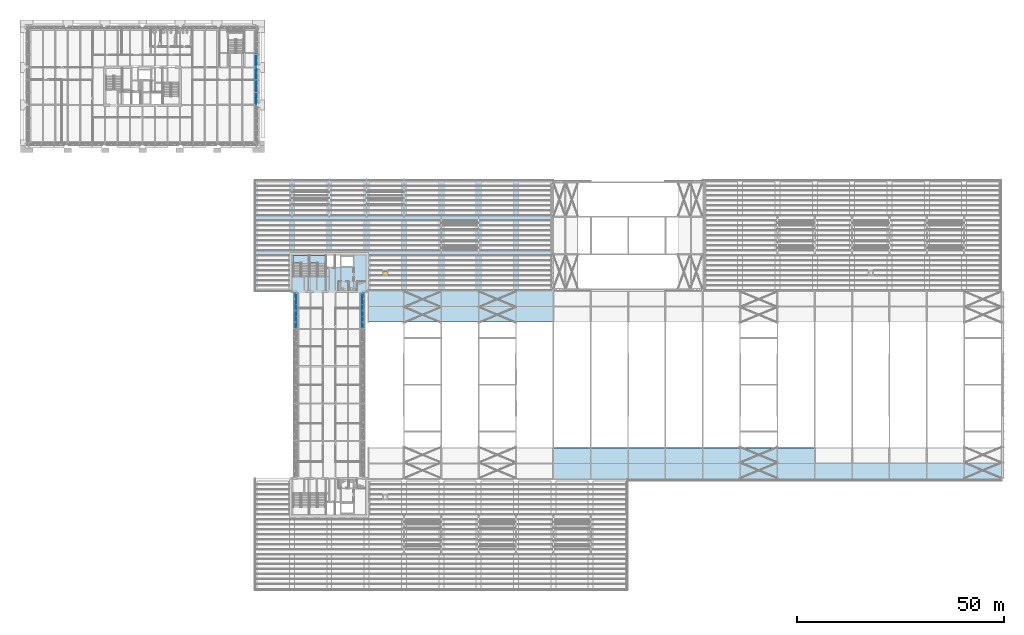
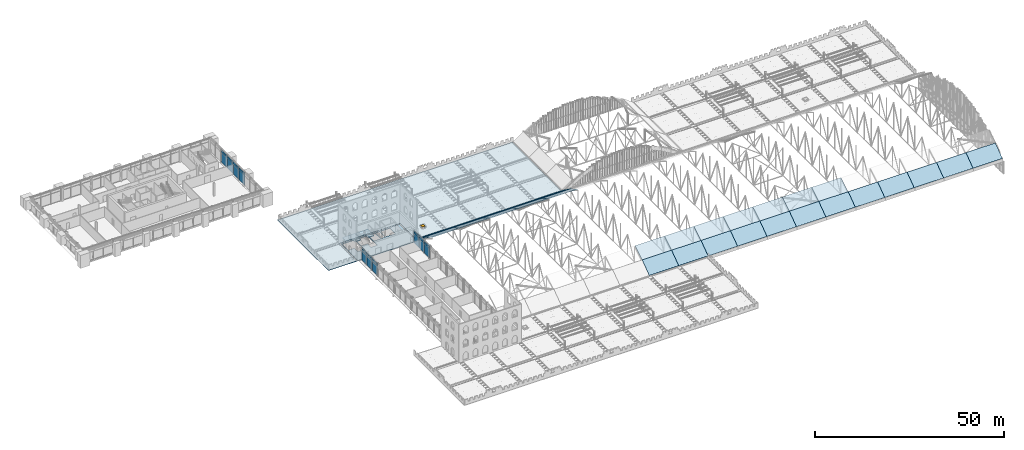
# One storey, part 94 of 153: 33 slabs, 20 plates, 1 window, 1 opening, 5 elements without a shape of their own.
"""IFC4 building model written with IfcOpenShell, lengths in metres."""

from ifc_helpers import new_model, si_unit, direction, frame, origin, origin_2d, place, context, subcontext, project, spatial, polyline, rectangle, outline, extrude, material, layer, layer_set, type_object, element, fill, aggregate, save


model = new_model("IFC4")

# Units and contexts
model_context = context("Model", 3, precision=1e-05, world=origin(), true_north=direction((0.0, 1.0)))
body_context = subcontext(model_context, "Body", "Model", "MODEL_VIEW")
ifc_project = project(units=[si_unit("LENGTHUNIT", "METRE"), si_unit("AREAUNIT", "SQUARE_METRE"), si_unit("VOLUMEUNIT", "CUBIC_METRE"), si_unit("PLANEANGLEUNIT", "RADIAN"), si_unit("MASSUNIT", "GRAM", prefix="KILO")], contexts=[model_context])

# Site, building, storey
site_placement = place(None, origin())
site = spatial("IfcSite", under=ifc_project, at=site_placement, CompositionType="ELEMENT")
building_placement = place(site_placement, origin())
building = spatial("IfcBuilding", under=site, at=building_placement, Name="Baradari Gate Terminus", CompositionType="ELEMENT")
storey_placement = place(building_placement, frame((0.0, 0.0, 11.699951171875)))
storey = spatial("IfcBuildingStorey", under=building, at=storey_placement, Name="L02", CompositionType="ELEMENT", Elevation=11.699951171875)

# Slab, opening, window
ifc_material_1 = material(Name="Concrete C35/45", Category="concrete")
ifc_layer_1 = layer(ifc_material_1, 0.14990234375)
ifc_layer_set_1 = layer_set([ifc_layer_1], Name="Concrete C35/45")
slab_type_1 = type_object("IfcSlabType", Name="Composite roof slab SL2 150", PredefinedType="ROOF", material=ifc_layer_set_1)
slab_1_placement = place(storey_placement, frame((0.0, 0.0, -0.14990234375)))
slab_1 = element("IfcSlab", 1, at=slab_1_placement, inside=storey, type_object=slab_type_1, Name="Head-house roof", PredefinedType="ROOF", context=body_context, shape_type="SweptSolid", body=[
    extrude(outline(polyline([(134.800048828125, 81.0), (134.800048828125, 108.0), (63.0, 108.0), (63.0, 81.0), (71.699951171875, 81.0), (71.699951171875, 81.300048828125), (71.699951171875, 89.699951171875), (71.699951171875, 90.300048828125), (90.300048828125, 90.300048828125), (90.300048828125, 89.699951171875), (90.300048828125, 81.300048828125), (90.300048828125, 81.0), (134.800048828125, 81.0)])), origin(), (0.0, 0.0, 1.0), 0.14990234375),
])
opening_placement = place(slab_1_placement, frame((94.5, 85.5, 0.0)))
opening = element("IfcOpeningElement", 2, at=opening_placement, cuts=slab_1, Name="Opening RH1", PredefinedType="OPENING", context=body_context, shape_type="SweptSolid", body=[
    extrude(rectangle(XDim=1.0, YDim=1.0, at=origin_2d()), frame((0.0, 0.0, -0.010009765625)), (0.0, 0.0, 1.0), 0.869873046875),
])
ifc_material_2 = material(Name="Aluminium", Category="aluminium")
window_type = type_object("IfcWindowType", Name="Roof access hatch", PartitioningType="SINGLE_PANEL", PredefinedType="SKYLIGHT", material=ifc_material_2)
window_placement = place(opening_placement, frame((0.0, 0.0, 0.7998046875)))
window = element("IfcWindow", 3, at=window_placement, inside=storey, type_object=window_type, Name="RF/L02/RH1", OverallHeight=1.0, OverallWidth=1.0, PartitioningType="SINGLE_PANEL", PredefinedType="SKYLIGHT", context=body_context, shape_type="SweptSolid", body=[
    extrude(rectangle(XDim=1.0, YDim=1.0, at=origin_2d()), origin(), (0.0, 0.0, 1.0), 0.050048828125),
])
fill(opening, window)

# Curtain wall, plates
ifc_material_3 = material(Name="Aluminium 6063-T6", Category="aluminium")
curtain_wall_type_1 = type_object("IfcCurtainWallType", Name="Curtain wall CW-1 block unitised, zone L02-L05", PredefinedType="NOTDEFINED", material=ifc_material_3)
curtain_wall_1_placement = place(storey_placement, origin())
curtain_wall_1 = element("IfcCurtainWall", 4, at=curtain_wall_1_placement, inside=storey, type_object=curtain_wall_type_1, Name="Curtain wall CW-1 Operations block E face L02", PredefinedType="NOTDEFINED")
ifc_material_4 = material(Name="Insulating glass unit", Category="glass")
ifc_layer_2 = layer(ifc_material_4, 0.030029296875)
ifc_layer_set_2 = layer_set([ifc_layer_2], Name="Insulating glass unit")
plate_type_1 = type_object("IfcPlateType", Name="Curtain wall glazing unit CP-1 30", PredefinedType="CURTAIN_PANEL", material=ifc_layer_set_2)
plate_1_placement = place(storey_placement, frame((63.3701171875, 127.43994140625, 0.06494140625), z_axis=(0.0, 0.0, 1.0), x_axis=(0.0, 1.0, 0.0)))
plate_1 = element("IfcPlate", 5, at=plate_1_placement, type_object=plate_type_1, Name="CW-1 panel 4.1", PredefinedType="CURTAIN_PANEL", context=body_context, shape_type="SweptSolid", body=[
    extrude(rectangle(XDim=2.9951171875, YDim=0.030029296875, at=origin_2d()), origin(), (0.0, 0.0, 1.0), 3.202392578125),
])
plate_2_placement = place(storey_placement, frame((63.3701171875, 130.5, 0.06494140625), z_axis=(0.0, 0.0, 1.0), x_axis=(0.0, 1.0, 0.0)))
plate_2 = element("IfcPlate", 6, at=plate_2_placement, type_object=plate_type_1, Name="CW-1 panel 5.1", PredefinedType="CURTAIN_PANEL", context=body_context, shape_type="SweptSolid", body=[
    extrude(rectangle(XDim=2.9951171875, YDim=0.030029296875, at=origin_2d()), origin(), (0.0, 0.0, 1.0), 3.202392578125),
])
plate_3_placement = place(storey_placement, frame((63.3701171875, 133.56005859375, 0.06494140625), z_axis=(0.0, 0.0, 1.0), x_axis=(0.0, 1.0, 0.0)))
plate_3 = element("IfcPlate", 7, at=plate_3_placement, type_object=plate_type_1, Name="CW-1 panel 6.1", PredefinedType="CURTAIN_PANEL", context=body_context, shape_type="SweptSolid", body=[
    extrude(rectangle(XDim=2.9951171875, YDim=0.030029296875, at=origin_2d()), origin(), (0.0, 0.0, 1.0), 3.202392578125),
])
plate_4_placement = place(storey_placement, frame((63.3701171875, 136.6201171875, 0.06494140625), z_axis=(0.0, 0.0, 1.0), x_axis=(0.0, 1.0, 0.0)))
plate_4 = element("IfcPlate", 8, at=plate_4_placement, type_object=plate_type_1, Name="CW-1 panel 7.1", PredefinedType="CURTAIN_PANEL", context=body_context, shape_type="SweptSolid", body=[
    extrude(rectangle(XDim=2.9951171875, YDim=0.030029296875, at=origin_2d()), origin(), (0.0, 0.0, 1.0), 3.202392578125),
])

# Curtain wall, plate
ifc_material_5 = material(Name="Aluminium 6063-T6", Category="aluminium")
curtain_wall_type_2 = type_object("IfcCurtainWallType", Name="Curtain wall CW-3 gate face, office floors", PredefinedType="NOTDEFINED", material=ifc_material_5)
curtain_wall_2_placement = place(storey_placement, origin())
curtain_wall_2 = element("IfcCurtainWall", 9, at=curtain_wall_2_placement, inside=storey, type_object=curtain_wall_type_2, Name="Curtain wall CW-3 gate west face L02 bay 5", PredefinedType="NOTDEFINED")
ifc_material_6 = material(Name="Insulating glass unit", Category="glass")
ifc_layer_3 = layer(ifc_material_6, 0.0400390625)
ifc_layer_set_3 = layer_set([ifc_layer_3], Name="Insulating glass unit")
plate_type_2 = type_object("IfcPlateType", Name="Curtain wall glazing unit CP-3 40", PredefinedType="CURTAIN_PANEL", material=ifc_layer_set_3)
plate_5_placement = place(storey_placement, frame((73.02490234375, 79.188232421875, 0.080078125), z_axis=(0.0, 0.0, 1.0), x_axis=(0.0, 1.0, 0.0)))
plate_5 = element("IfcPlate", 10, at=plate_5_placement, type_object=plate_type_2, Name="CW-3 panel 3.1", PredefinedType="CURTAIN_PANEL", context=body_context, shape_type="SweptSolid", body=[
    extrude(rectangle(XDim=2.663330078125, YDim=0.0400390625, at=origin_2d()), origin(), (0.0, 0.0, 1.0), 3.030029296875),
])

curtain_wall_3_placement = place(storey_placement, origin())
curtain_wall_3 = element("IfcCurtainWall", 11, at=curtain_wall_3_placement, inside=storey, type_object=curtain_wall_type_2, Name="Curtain wall CW-3 gate east face L02 bay 5", PredefinedType="NOTDEFINED")
plate_6_placement = place(storey_placement, frame((88.97509765625, 79.188232421875, 0.080078125), z_axis=(0.0, 0.0, 1.0), x_axis=(0.0, 1.0, 0.0)))
plate_6 = element("IfcPlate", 12, at=plate_6_placement, type_object=plate_type_2, Name="CW-3 panel 3.1", PredefinedType="CURTAIN_PANEL", context=body_context, shape_type="SweptSolid", body=[
    extrude(rectangle(XDim=2.663330078125, YDim=0.0400390625, at=origin_2d()), origin(), (0.0, 0.0, 1.0), 3.030029296875),
])

# Plate
ifc_material_7 = material(Name="Back-painted glass", Category="glass")
ifc_layer_4 = layer(ifc_material_7, 0.070068359375)
ifc_layer_set_4 = layer_set([ifc_layer_4], Name="Back-painted glass")
plate_type_3 = type_object("IfcPlateType", Name="Curtain wall spandrel panel CP-S1 70", PredefinedType="CURTAIN_PANEL", material=ifc_layer_set_4)
plate_7_placement = place(storey_placement, frame((63.3701171875, 127.43994140625, 3.33251953125), z_axis=(0.0, 0.0, 1.0), x_axis=(0.0, 1.0, 0.0)))
plate_7 = element("IfcPlate", 13, at=plate_7_placement, type_object=plate_type_3, Name="CW-1 spandrel panel 4.2", PredefinedType="CURTAIN_PANEL", context=body_context, shape_type="SweptSolid", body=[
    extrude(rectangle(XDim=2.9951171875, YDim=0.070068359375, at=origin_2d()), origin(), (0.0, 0.0, 1.0), 0.802490234375),
])

plate_8_placement = place(storey_placement, frame((63.3701171875, 130.5, 3.33251953125), z_axis=(0.0, 0.0, 1.0), x_axis=(0.0, 1.0, 0.0)))
plate_8 = element("IfcPlate", 14, at=plate_8_placement, type_object=plate_type_3, Name="CW-1 spandrel panel 5.2", PredefinedType="CURTAIN_PANEL", context=body_context, shape_type="SweptSolid", body=[
    extrude(rectangle(XDim=2.9951171875, YDim=0.070068359375, at=origin_2d()), origin(), (0.0, 0.0, 1.0), 0.802490234375),
])

plate_9_placement = place(storey_placement, frame((63.3701171875, 133.56005859375, 3.33251953125), z_axis=(0.0, 0.0, 1.0), x_axis=(0.0, 1.0, 0.0)))
plate_9 = element("IfcPlate", 15, at=plate_9_placement, type_object=plate_type_3, Name="CW-1 spandrel panel 6.2", PredefinedType="CURTAIN_PANEL", context=body_context, shape_type="SweptSolid", body=[
    extrude(rectangle(XDim=2.9951171875, YDim=0.070068359375, at=origin_2d()), origin(), (0.0, 0.0, 1.0), 0.802490234375),
])

plate_10_placement = place(storey_placement, frame((63.3701171875, 136.6201171875, 3.33251953125), z_axis=(0.0, 0.0, 1.0), x_axis=(0.0, 1.0, 0.0)))
plate_10 = element("IfcPlate", 16, at=plate_10_placement, type_object=plate_type_3, Name="CW-1 spandrel panel 7.2", PredefinedType="CURTAIN_PANEL", context=body_context, shape_type="SweptSolid", body=[
    extrude(rectangle(XDim=2.9951171875, YDim=0.070068359375, at=origin_2d()), origin(), (0.0, 0.0, 1.0), 0.802490234375),
])

aggregate(curtain_wall_1, [plate_1, plate_7, plate_2, plate_8, plate_3, plate_9, plate_4, plate_10])

ifc_material_8 = material(Name="Back-painted glass", Category="glass")
ifc_layer_5 = layer(ifc_material_8, 0.080078125)
ifc_layer_set_5 = layer_set([ifc_layer_5], Name="Back-painted glass")
plate_type_4 = type_object("IfcPlateType", Name="Curtain wall spandrel panel CP-S3 80", PredefinedType="CURTAIN_PANEL", material=ifc_layer_set_5)
plate_11_placement = place(storey_placement, frame((73.02490234375, 73.66162109375, 0.080078125), z_axis=(0.0, 0.0, 1.0), x_axis=(0.0, 1.0, 0.0)))
plate_11 = element("IfcPlate", 17, at=plate_11_placement, type_object=plate_type_4, Name="CW-3 spandrel panel 1.1", PredefinedType="CURTAIN_PANEL", context=body_context, shape_type="SweptSolid", body=[
    extrude(rectangle(XDim=2.663330078125, YDim=0.080078125, at=origin_2d()), origin(), (0.0, 0.0, 1.0), 3.030029296875),
])

plate_12_placement = place(storey_placement, frame((73.02490234375, 73.66162109375, 3.18994140625), z_axis=(0.0, 0.0, 1.0), x_axis=(0.0, 1.0, 0.0)))
plate_12 = element("IfcPlate", 18, at=plate_12_placement, type_object=plate_type_4, Name="CW-3 spandrel panel 1.2", PredefinedType="CURTAIN_PANEL", context=body_context, shape_type="SweptSolid", body=[
    extrude(rectangle(XDim=2.663330078125, YDim=0.080078125, at=origin_2d()), origin(), (0.0, 0.0, 1.0), 0.780029296875),
])

plate_13_placement = place(storey_placement, frame((73.02490234375, 76.425048828125, 0.080078125), z_axis=(0.0, 0.0, 1.0), x_axis=(0.0, 1.0, 0.0)))
plate_13 = element("IfcPlate", 19, at=plate_13_placement, type_object=plate_type_4, Name="CW-3 spandrel panel 2.1", PredefinedType="CURTAIN_PANEL", context=body_context, shape_type="SweptSolid", body=[
    extrude(rectangle(XDim=2.703369140625, YDim=0.080078125, at=origin_2d()), origin(), (0.0, 0.0, 1.0), 3.030029296875),
])

plate_14_placement = place(storey_placement, frame((73.02490234375, 76.425048828125, 3.18994140625), z_axis=(0.0, 0.0, 1.0), x_axis=(0.0, 1.0, 0.0)))
plate_14 = element("IfcPlate", 20, at=plate_14_placement, type_object=plate_type_4, Name="CW-3 spandrel panel 2.2", PredefinedType="CURTAIN_PANEL", context=body_context, shape_type="SweptSolid", body=[
    extrude(rectangle(XDim=2.703369140625, YDim=0.080078125, at=origin_2d()), origin(), (0.0, 0.0, 1.0), 0.780029296875),
])

plate_15_placement = place(storey_placement, frame((73.02490234375, 79.188232421875, 3.18994140625), z_axis=(0.0, 0.0, 1.0), x_axis=(0.0, 1.0, 0.0)))
plate_15 = element("IfcPlate", 21, at=plate_15_placement, type_object=plate_type_4, Name="CW-3 spandrel panel 3.2", PredefinedType="CURTAIN_PANEL", context=body_context, shape_type="SweptSolid", body=[
    extrude(rectangle(XDim=2.663330078125, YDim=0.080078125, at=origin_2d()), origin(), (0.0, 0.0, 1.0), 0.780029296875),
])

aggregate(curtain_wall_2, [plate_11, plate_12, plate_13, plate_14, plate_5, plate_15])

plate_16_placement = place(storey_placement, frame((88.97509765625, 73.66162109375, 0.080078125), z_axis=(0.0, 0.0, 1.0), x_axis=(0.0, 1.0, 0.0)))
plate_16 = element("IfcPlate", 22, at=plate_16_placement, type_object=plate_type_4, Name="CW-3 spandrel panel 1.1", PredefinedType="CURTAIN_PANEL", context=body_context, shape_type="SweptSolid", body=[
    extrude(rectangle(XDim=2.663330078125, YDim=0.080078125, at=origin_2d()), origin(), (0.0, 0.0, 1.0), 3.030029296875),
])

plate_17_placement = place(storey_placement, frame((88.97509765625, 73.66162109375, 3.18994140625), z_axis=(0.0, 0.0, 1.0), x_axis=(0.0, 1.0, 0.0)))
plate_17 = element("IfcPlate", 23, at=plate_17_placement, type_object=plate_type_4, Name="CW-3 spandrel panel 1.2", PredefinedType="CURTAIN_PANEL", context=body_context, shape_type="SweptSolid", body=[
    extrude(rectangle(XDim=2.663330078125, YDim=0.080078125, at=origin_2d()), origin(), (0.0, 0.0, 1.0), 0.780029296875),
])

plate_18_placement = place(storey_placement, frame((88.97509765625, 76.425048828125, 0.080078125), z_axis=(0.0, 0.0, 1.0), x_axis=(0.0, 1.0, 0.0)))
plate_18 = element("IfcPlate", 24, at=plate_18_placement, type_object=plate_type_4, Name="CW-3 spandrel panel 2.1", PredefinedType="CURTAIN_PANEL", context=body_context, shape_type="SweptSolid", body=[
    extrude(rectangle(XDim=2.703369140625, YDim=0.080078125, at=origin_2d()), origin(), (0.0, 0.0, 1.0), 3.030029296875),
])

plate_19_placement = place(storey_placement, frame((88.97509765625, 76.425048828125, 3.18994140625), z_axis=(0.0, 0.0, 1.0), x_axis=(0.0, 1.0, 0.0)))
plate_19 = element("IfcPlate", 25, at=plate_19_placement, type_object=plate_type_4, Name="CW-3 spandrel panel 2.2", PredefinedType="CURTAIN_PANEL", context=body_context, shape_type="SweptSolid", body=[
    extrude(rectangle(XDim=2.703369140625, YDim=0.080078125, at=origin_2d()), origin(), (0.0, 0.0, 1.0), 0.780029296875),
])

plate_20_placement = place(storey_placement, frame((88.97509765625, 79.188232421875, 3.18994140625), z_axis=(0.0, 0.0, 1.0), x_axis=(0.0, 1.0, 0.0)))
plate_20 = element("IfcPlate", 26, at=plate_20_placement, type_object=plate_type_4, Name="CW-3 spandrel panel 3.2", PredefinedType="CURTAIN_PANEL", context=body_context, shape_type="SweptSolid", body=[
    extrude(rectangle(XDim=2.663330078125, YDim=0.080078125, at=origin_2d()), origin(), (0.0, 0.0, 1.0), 0.780029296875),
])

aggregate(curtain_wall_3, [plate_16, plate_17, plate_18, plate_19, plate_6, plate_20])

# Slabs
ifc_material_9 = material(Name="Concrete C35/45", Category="concrete")
ifc_layer_6 = layer(ifc_material_9, 0.14990234375)
ifc_layer_set_6 = layer_set([ifc_layer_6], Name="Concrete C35/45")
slab_type_2 = type_object("IfcSlabType", Name="Gate floor slab SL11 150", PredefinedType="FLOOR", material=ifc_layer_set_6)
slab_2_placement = place(storey_placement, frame((0.0, 0.0, -0.14990234375)))
element("IfcSlab", 27, at=slab_2_placement, inside=storey, type_object=slab_type_2, Name="Core floor GN", PredefinedType="FLOOR", context=body_context, shape_type="SweptSolid", body=[
    extrude(outline(polyline([(72.0, 81.0), (90.0, 81.0), (90.0, 90.0), (72.0, 90.0), (72.0, 81.0)]), holes=[polyline([(86.800048828125, 86.800048828125), (86.800048828125, 89.699951171875), (83.89990234375, 89.699951171875), (83.89990234375, 86.800048828125), (86.800048828125, 86.800048828125)]), polyline([(83.699951171875, 89.699951171875), (82.5, 89.699951171875), (82.5, 86.800048828125), (83.699951171875, 86.800048828125), (83.699951171875, 89.699951171875)]), polyline([(82.300048828125, 89.699951171875), (80.300048828125, 89.699951171875), (80.300048828125, 86.800048828125), (82.300048828125, 86.800048828125), (82.300048828125, 89.699951171875)]), polyline([(76.300048828125, 89.699951171875), (76.300048828125, 86.419921875), (78.10009765625, 86.419921875), (78.10009765625, 84.60009765625), (80.10009765625, 84.60009765625), (80.10009765625, 89.699951171875), (76.300048828125, 89.699951171875)]), polyline([(72.300048828125, 89.699951171875), (72.300048828125, 86.419921875), (74.10009765625, 86.419921875), (74.10009765625, 84.60009765625), (76.10009765625, 84.60009765625), (76.10009765625, 89.699951171875), (72.300048828125, 89.699951171875)])]), origin(), (0.0, 0.0, 1.0), 0.14990234375),
])
ifc_material_10 = material(Name="Aluminium", Category="aluminium")
ifc_layer_7 = layer(ifc_material_10, 0.1201171875)
ifc_layer_set_7 = layer_set([ifc_layer_7], Name="Aluminium")
slab_type_3 = type_object("IfcSlabType", Name="Shed roof panel", PredefinedType="ROOF", material=ifc_layer_set_7)
slab_3_placement = place(storey_placement, frame((90.25, 73.680908203125, 5.590576171875), z_axis=(0.0, 0.513297855318, 0.85821052879), x_axis=(1.0, 0.0, 0.0)))
element("IfcSlab", 28, at=slab_3_placement, inside=storey, type_object=slab_type_3, Name="RF/L02/B99-RP10", PredefinedType="ROOF", context=body_context, shape_type="SweptSolid", body=[
    extrude(outline(polyline([(0.0, 0.0), (8.75, 0.0), (8.75, 4.407677040601449), (0.0, 4.407677040601449), (0.0, 0.0)])), origin(), (0.0, 0.0, -1.0), 0.1201171875),
])
slab_4_placement = place(storey_placement, frame((90.25, 77.463623046875, 3.328125), z_axis=(0.0, 0.590775958062, 0.806835650784), x_axis=(1.0, 0.0, 0.0)))
element("IfcSlab", 29, at=slab_4_placement, inside=storey, type_object=slab_type_3, Name="RF/L02/B99-RP11", PredefinedType="ROOF", context=body_context, shape_type="SweptSolid", body=[
    extrude(outline(polyline([(0.0, 0.0), (8.75, 0.0), (8.75, 4.665639518056), (0.0, 4.665639518056), (0.0, 0.0)])), origin(), (0.0, 0.0, -1.0), 0.1201171875),
])
slab_5_placement = place(storey_placement, frame((99.0, 73.680908203125, 5.590576171875), z_axis=(0.0, 0.513297855318, 0.85821052879), x_axis=(1.0, 0.0, 0.0)))
element("IfcSlab", 30, at=slab_5_placement, inside=storey, type_object=slab_type_3, Name="RF/L02/B108-RP10", PredefinedType="ROOF", context=body_context, shape_type="SweptSolid", body=[
    extrude(outline(polyline([(0.0, 0.0), (9.0, 0.0), (9.0, 4.407677040601449), (0.0, 4.407677040601449), (0.0, 0.0)])), origin(), (0.0, 0.0, -1.0), 0.1201171875),
])
slab_6_placement = place(storey_placement, frame((99.0, 77.463623046875, 3.328125), z_axis=(0.0, 0.590775958062, 0.806835650784), x_axis=(1.0, 0.0, 0.0)))
element("IfcSlab", 31, at=slab_6_placement, inside=storey, type_object=slab_type_3, Name="RF/L02/B108-RP11", PredefinedType="ROOF", context=body_context, shape_type="SweptSolid", body=[
    extrude(outline(polyline([(0.0, 0.0), (9.0, 0.0), (9.0, 4.665639518056), (0.0, 4.665639518056), (0.0, 0.0)])), origin(), (0.0, 0.0, -1.0), 0.1201171875),
])
slab_7_placement = place(storey_placement, frame((108.0, 73.680908203125, 5.590576171875), z_axis=(0.0, 0.513297855318, 0.85821052879), x_axis=(1.0, 0.0, 0.0)))
element("IfcSlab", 32, at=slab_7_placement, inside=storey, type_object=slab_type_3, Name="RF/L02/B117-RP10", PredefinedType="ROOF", context=body_context, shape_type="SweptSolid", body=[
    extrude(outline(polyline([(0.0, 0.0), (9.0, 0.0), (9.0, 4.407677040601449), (0.0, 4.407677040601449), (0.0, 0.0)])), origin(), (0.0, 0.0, -1.0), 0.1201171875),
])
slab_8_placement = place(storey_placement, frame((108.0, 77.463623046875, 3.328125), z_axis=(0.0, 0.590775958062, 0.806835650784), x_axis=(1.0, 0.0, 0.0)))
element("IfcSlab", 33, at=slab_8_placement, inside=storey, type_object=slab_type_3, Name="RF/L02/B117-RP11", PredefinedType="ROOF", context=body_context, shape_type="SweptSolid", body=[
    extrude(outline(polyline([(0.0, 0.0), (9.0, 0.0), (9.0, 4.665639518056), (0.0, 4.665639518056), (0.0, 0.0)])), origin(), (0.0, 0.0, -1.0), 0.1201171875),
])
slab_9_placement = place(storey_placement, frame((117.0, 73.680908203125, 5.590576171875), z_axis=(0.0, 0.513297855318, 0.85821052879), x_axis=(1.0, 0.0, 0.0)))
element("IfcSlab", 34, at=slab_9_placement, inside=storey, type_object=slab_type_3, Name="RF/L02/B126-RP10", PredefinedType="ROOF", context=body_context, shape_type="SweptSolid", body=[
    extrude(outline(polyline([(0.0, 0.0), (9.0, 0.0), (9.0, 4.407677040601449), (0.0, 4.407677040601449), (0.0, 0.0)])), origin(), (0.0, 0.0, -1.0), 0.1201171875),
])
slab_10_placement = place(storey_placement, frame((117.0, 77.463623046875, 3.328125), z_axis=(0.0, 0.590775958062, 0.806835650784), x_axis=(1.0, 0.0, 0.0)))
element("IfcSlab", 35, at=slab_10_placement, inside=storey, type_object=slab_type_3, Name="RF/L02/B126-RP11", PredefinedType="ROOF", context=body_context, shape_type="SweptSolid", body=[
    extrude(outline(polyline([(0.0, 0.0), (9.0, 0.0), (9.0, 4.665639518056), (0.0, 4.665639518056), (0.0, 0.0)])), origin(), (0.0, 0.0, -1.0), 0.1201171875),
])
slab_11_placement = place(storey_placement, frame((126.0, 73.680908203125, 5.590576171875), z_axis=(0.0, 0.513297855318, 0.85821052879), x_axis=(1.0, 0.0, 0.0)))
element("IfcSlab", 36, at=slab_11_placement, inside=storey, type_object=slab_type_3, Name="RF/L02/B135-RP10", PredefinedType="ROOF", context=body_context, shape_type="SweptSolid", body=[
    extrude(outline(polyline([(0.0, 0.0), (9.0, 0.0), (9.0, 4.407677040601449), (0.0, 4.407677040601449), (0.0, 0.0)])), origin(), (0.0, 0.0, -1.0), 0.1201171875),
])
for number, where, z_axis, x_axis, name in (
    (37, (126.0, 77.463623046875, 3.328125), (0.0, 0.590775958062, 0.806835650784), (1.0, 0.0, 0.0), "RF/L02/B135-RP11"),
    (38, (135.0, 35.77197265625, 0.57177734375), (0.0, -0.590775958062, 0.806835650784), (1.0, 0.0, 0.0), "RF/L02/B144-RP00"),
):
    element("IfcSlab", number, at=place(storey_placement, frame(where, z_axis=z_axis, x_axis=x_axis)), inside=storey, type_object=slab_type_3, Name=name, PredefinedType="ROOF", context=body_context, shape_type="SweptSolid", body=[
        extrude(outline(polyline([(0.0, 0.0), (9.0, 0.0), (9.0, 4.665639518056), (0.0, 4.665639518056), (0.0, 0.0)])), origin(), (0.0, 0.0, -1.0), 0.1201171875),
    ])
slab_12_placement = place(storey_placement, frame((135.0, 39.536376953125, 3.328125), z_axis=(0.0, -0.513297855318, 0.85821052879), x_axis=(1.0, 0.0, 0.0)))
element("IfcSlab", 39, at=slab_12_placement, inside=storey, type_object=slab_type_3, Name="RF/L02/B144-RP01", PredefinedType="ROOF", context=body_context, shape_type="SweptSolid", body=[
    extrude(outline(polyline([(0.0, 0.0), (9.0, 0.0), (9.0, 4.407677040601449), (0.0, 4.407677040601449), (0.0, 0.0)])), origin(), (0.0, 0.0, -1.0), 0.1201171875),
])
slab_13_placement = place(storey_placement, frame((144.0, 35.77197265625, 0.57177734375), z_axis=(0.0, -0.590775958062, 0.806835650784), x_axis=(1.0, 0.0, 0.0)))
element("IfcSlab", 40, at=slab_13_placement, inside=storey, type_object=slab_type_3, Name="RF/L02/B153-RP00", PredefinedType="ROOF", context=body_context, shape_type="SweptSolid", body=[
    extrude(outline(polyline([(0.0, 0.0), (9.0, 0.0), (9.0, 4.665639518056), (0.0, 4.665639518056), (0.0, 0.0)])), origin(), (0.0, 0.0, -1.0), 0.1201171875),
])
slab_14_placement = place(storey_placement, frame((144.0, 39.536376953125, 3.328125), z_axis=(0.0, -0.513297855318, 0.85821052879), x_axis=(1.0, 0.0, 0.0)))
element("IfcSlab", 41, at=slab_14_placement, inside=storey, type_object=slab_type_3, Name="RF/L02/B153-RP01", PredefinedType="ROOF", context=body_context, shape_type="SweptSolid", body=[
    extrude(outline(polyline([(0.0, 0.0), (9.0, 0.0), (9.0, 4.407677040601449), (0.0, 4.407677040601449), (0.0, 0.0)])), origin(), (0.0, 0.0, -1.0), 0.1201171875),
])
slab_15_placement = place(storey_placement, frame((153.0, 35.77197265625, 0.57177734375), z_axis=(0.0, -0.590775958062, 0.806835650784), x_axis=(1.0, 0.0, 0.0)))
element("IfcSlab", 42, at=slab_15_placement, inside=storey, type_object=slab_type_3, Name="RF/L02/B162-RP00", PredefinedType="ROOF", context=body_context, shape_type="SweptSolid", body=[
    extrude(outline(polyline([(0.0, 0.0), (9.0, 0.0), (9.0, 4.665639518056), (0.0, 4.665639518056), (0.0, 0.0)])), origin(), (0.0, 0.0, -1.0), 0.1201171875),
])
slab_16_placement = place(storey_placement, frame((153.0, 39.536376953125, 3.328125), z_axis=(0.0, -0.513297855318, 0.85821052879), x_axis=(1.0, 0.0, 0.0)))
element("IfcSlab", 43, at=slab_16_placement, inside=storey, type_object=slab_type_3, Name="RF/L02/B162-RP01", PredefinedType="ROOF", context=body_context, shape_type="SweptSolid", body=[
    extrude(outline(polyline([(0.0, 0.0), (9.0, 0.0), (9.0, 4.407677040601449), (0.0, 4.407677040601449), (0.0, 0.0)])), origin(), (0.0, 0.0, -1.0), 0.1201171875),
])
slab_17_placement = place(storey_placement, frame((162.0, 35.77197265625, 0.57177734375), z_axis=(0.0, -0.590775958062, 0.806835650784), x_axis=(1.0, 0.0, 0.0)))
element("IfcSlab", 44, at=slab_17_placement, inside=storey, type_object=slab_type_3, Name="RF/L02/B171-RP00", PredefinedType="ROOF", context=body_context, shape_type="SweptSolid", body=[
    extrude(outline(polyline([(0.0, 0.0), (9.0, 0.0), (9.0, 4.665639518056), (0.0, 4.665639518056), (0.0, 0.0)])), origin(), (0.0, 0.0, -1.0), 0.1201171875),
])
slab_18_placement = place(storey_placement, frame((162.0, 39.536376953125, 3.328125), z_axis=(0.0, -0.513297855318, 0.85821052879), x_axis=(1.0, 0.0, 0.0)))
element("IfcSlab", 45, at=slab_18_placement, inside=storey, type_object=slab_type_3, Name="RF/L02/B171-RP01", PredefinedType="ROOF", context=body_context, shape_type="SweptSolid", body=[
    extrude(outline(polyline([(0.0, 0.0), (9.0, 0.0), (9.0, 4.407677040601449), (0.0, 4.407677040601449), (0.0, 0.0)])), origin(), (0.0, 0.0, -1.0), 0.1201171875),
])
slab_19_placement = place(storey_placement, frame((171.0, 35.77197265625, 0.57177734375), z_axis=(0.0, -0.590775958062, 0.806835650784), x_axis=(1.0, 0.0, 0.0)))
element("IfcSlab", 46, at=slab_19_placement, inside=storey, type_object=slab_type_3, Name="RF/L02/B180-RP00", PredefinedType="ROOF", context=body_context, shape_type="SweptSolid", body=[
    extrude(outline(polyline([(0.0, 0.0), (9.0, 0.0), (9.0, 4.665639518056), (0.0, 4.665639518056), (0.0, 0.0)])), origin(), (0.0, 0.0, -1.0), 0.1201171875),
])
slab_20_placement = place(storey_placement, frame((171.0, 39.536376953125, 3.328125), z_axis=(0.0, -0.513297855318, 0.85821052879), x_axis=(1.0, 0.0, 0.0)))
element("IfcSlab", 47, at=slab_20_placement, inside=storey, type_object=slab_type_3, Name="RF/L02/B180-RP01", PredefinedType="ROOF", context=body_context, shape_type="SweptSolid", body=[
    extrude(outline(polyline([(0.0, 0.0), (9.0, 0.0), (9.0, 4.407677040601449), (0.0, 4.407677040601449), (0.0, 0.0)])), origin(), (0.0, 0.0, -1.0), 0.1201171875),
])
slab_21_placement = place(storey_placement, frame((180.0, 35.77197265625, 0.57177734375), z_axis=(0.0, -0.590775958062, 0.806835650784), x_axis=(1.0, 0.0, 0.0)))
element("IfcSlab", 48, at=slab_21_placement, inside=storey, type_object=slab_type_3, Name="RF/L02/B189-RP00", PredefinedType="ROOF", context=body_context, shape_type="SweptSolid", body=[
    extrude(outline(polyline([(0.0, 0.0), (9.0, 0.0), (9.0, 4.665639518056), (0.0, 4.665639518056), (0.0, 0.0)])), origin(), (0.0, 0.0, -1.0), 0.1201171875),
])
slab_22_placement = place(storey_placement, frame((180.0, 39.536376953125, 3.328125), z_axis=(0.0, -0.513297855318, 0.85821052879), x_axis=(1.0, 0.0, 0.0)))
element("IfcSlab", 49, at=slab_22_placement, inside=storey, type_object=slab_type_3, Name="RF/L02/B189-RP01", PredefinedType="ROOF", context=body_context, shape_type="SweptSolid", body=[
    extrude(outline(polyline([(0.0, 0.0), (9.0, 0.0), (9.0, 4.407677040601449), (0.0, 4.407677040601449), (0.0, 0.0)])), origin(), (0.0, 0.0, -1.0), 0.1201171875),
])
slab_23_placement = place(storey_placement, frame((189.0, 35.77197265625, 0.57177734375), z_axis=(0.0, -0.590775958062, 0.806835650784), x_axis=(1.0, 0.0, 0.0)))
element("IfcSlab", 50, at=slab_23_placement, inside=storey, type_object=slab_type_3, Name="RF/L02/B198-RP00", PredefinedType="ROOF", context=body_context, shape_type="SweptSolid", body=[
    extrude(outline(polyline([(0.0, 0.0), (9.0, 0.0), (9.0, 4.665639518056), (0.0, 4.665639518056), (0.0, 0.0)])), origin(), (0.0, 0.0, -1.0), 0.1201171875),
])
slab_24_placement = place(storey_placement, frame((189.0, 39.536376953125, 3.328125), z_axis=(0.0, -0.513297855318, 0.85821052879), x_axis=(1.0, 0.0, 0.0)))
element("IfcSlab", 51, at=slab_24_placement, inside=storey, type_object=slab_type_3, Name="RF/L02/B198-RP01", PredefinedType="ROOF", context=body_context, shape_type="SweptSolid", body=[
    extrude(outline(polyline([(0.0, 0.0), (9.0, 0.0), (9.0, 4.407677040601449), (0.0, 4.407677040601449), (0.0, 0.0)])), origin(), (0.0, 0.0, -1.0), 0.1201171875),
])
for number, where, z_axis, x_axis, name in (
    (52, (198.0, 35.77197265625, 0.57177734375), (0.0, -0.590775958062, 0.806835650784), (1.0, 0.0, 0.0), "RF/L02/B207-RP00"),
    (53, (207.0, 35.77197265625, 0.57177734375), (0.0, -0.590775958062, 0.806835650784), (1.0, 0.0, 0.0), "RF/L02/B216-RP00"),
    (54, (216.0, 35.77197265625, 0.57177734375), (0.0, -0.590775958062, 0.806835650784), (1.0, 0.0, 0.0), "RF/L02/B225-RP00"),
    (55, (225.0, 35.77197265625, 0.57177734375), (0.0, -0.590775958062, 0.806835650784), (1.0, 0.0, 0.0), "RF/L02/B234-RP00"),
    (56, (234.0, 35.77197265625, 0.57177734375), (0.0, -0.590775958062, 0.806835650784), (1.0, 0.0, 0.0), "RF/L02/B243-RP00"),
):
    element("IfcSlab", number, at=place(storey_placement, frame(where, z_axis=z_axis, x_axis=x_axis)), inside=storey, type_object=slab_type_3, Name=name, PredefinedType="ROOF", context=body_context, shape_type="SweptSolid", body=[
        extrude(outline(polyline([(0.0, 0.0), (9.0, 0.0), (9.0, 4.665639518056), (0.0, 4.665639518056), (0.0, 0.0)])), origin(), (0.0, 0.0, -1.0), 0.1201171875),
    ])

# Stair, slab
ifc_material_11 = material(Name="Concrete C32/40", Category="concrete")
stair_type_1 = type_object("IfcStairType", Name="Exit stair ST-GN1 riser 175 x 1800", PredefinedType="HALF_TURN_STAIR", material=ifc_material_11)
stair_1_placement = place(storey_placement, origin())
stair_1 = element("IfcStair", 57, at=stair_1_placement, inside=storey, type_object=stair_type_1, Name="Stair ST-GN1 L02 to L03", PredefinedType="HALF_TURN_STAIR")
ifc_material_12 = material(Name="Concrete C32/40", Category="concrete")
ifc_layer_8 = layer(ifc_material_12, 0.25)
ifc_layer_set_8 = layer_set([ifc_layer_8], Name="Concrete C32/40")
slab_type_4 = type_object("IfcSlabType", Name="Stair landing LS-5 250", PredefinedType="LANDING", material=ifc_layer_set_8)
slab_25_placement = place(storey_placement, frame((0.0, 0.0, 1.85009765625)))
slab_25 = element("IfcSlab", 58, at=slab_25_placement, type_object=slab_type_4, Name="ST-GN1 landing 1", PredefinedType="LANDING", context=body_context, shape_type="SweptSolid", body=[
    extrude(outline(polyline([(72.300048828125, 89.699951171875), (72.300048828125, 87.8798828125), (74.10009765625, 87.8798828125), (74.10009765625, 86.364990234375), (74.300048828125, 86.364990234375), (76.10009765625, 86.364990234375), (76.10009765625, 89.699951171875), (72.300048828125, 89.699951171875)])), origin(), (0.0, 0.0, 1.0), 0.25),
])
aggregate(stair_1, [slab_25])

ifc_material_13 = material(Name="Concrete C32/40", Category="concrete")
stair_type_2 = type_object("IfcStairType", Name="Exit stair ST-GN2 riser 175 x 1800", PredefinedType="HALF_TURN_STAIR", material=ifc_material_13)
stair_2_placement = place(storey_placement, origin())
stair_2 = element("IfcStair", 59, at=stair_2_placement, inside=storey, type_object=stair_type_2, Name="Stair ST-GN2 L02 to L03", PredefinedType="HALF_TURN_STAIR")
slab_26_placement = place(storey_placement, frame((0.0, 0.0, 1.85009765625)))
slab_26 = element("IfcSlab", 60, at=slab_26_placement, type_object=slab_type_4, Name="ST-GN2 landing 1", PredefinedType="LANDING", context=body_context, shape_type="SweptSolid", body=[
    extrude(outline(polyline([(76.300048828125, 89.699951171875), (76.300048828125, 87.8798828125), (78.10009765625, 87.8798828125), (78.10009765625, 86.364990234375), (78.300048828125, 86.364990234375), (80.10009765625, 86.364990234375), (80.10009765625, 89.699951171875), (76.300048828125, 89.699951171875)])), origin(), (0.0, 0.0, 1.0), 0.25),
])
aggregate(stair_2, [slab_26])

save(model, "model.ifc")
